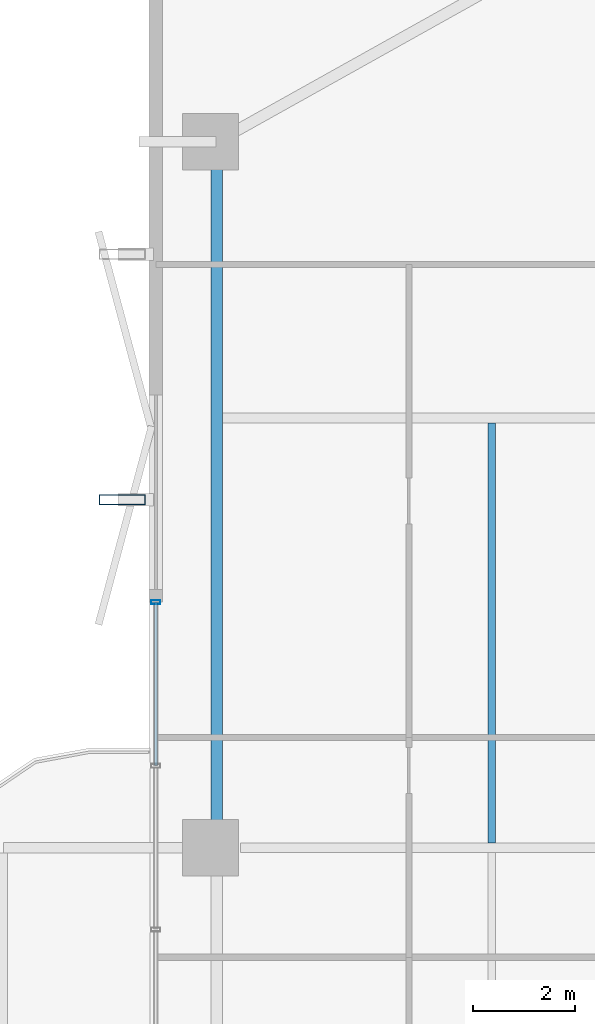
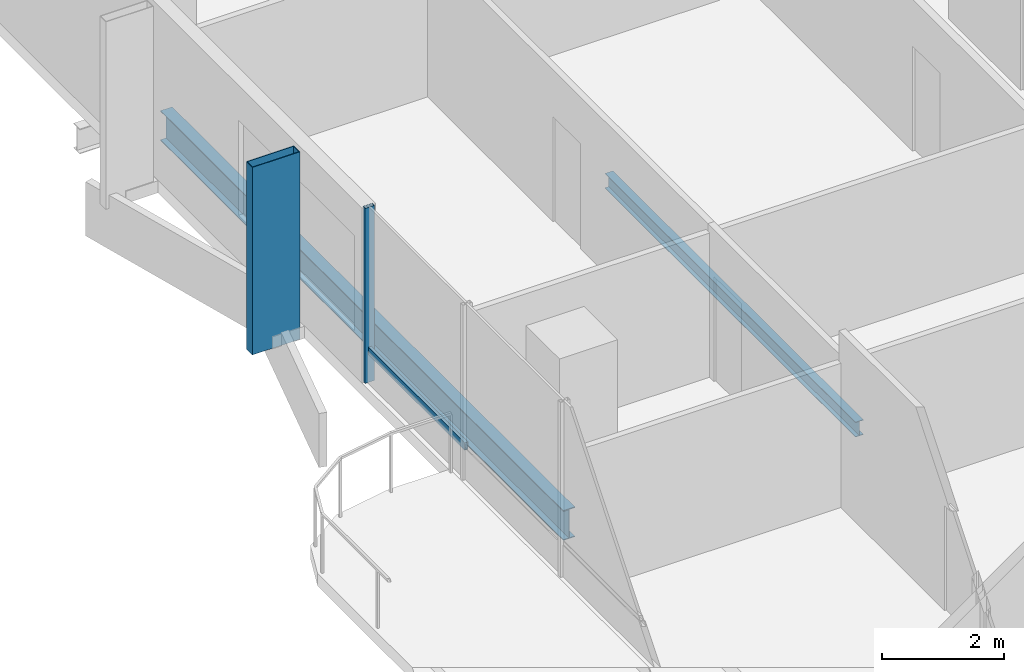
# One storey, part 12 of 29: 3 members, 2 beams, 1 element without a shape of its own.
"""IFC4 building model written with IfcOpenShell, lengths in metres."""

from ifc_helpers import new_model, si_unit, direction, frame, origin, origin_2d, place, context, subcontext, project, spatial, hollow_rectangle, i_section, extrude, material, layer, layer_set, material_profile, profile_set, type_object, element, aggregate, save


model = new_model("IFC4")

# Units and contexts
model_context = context("Model", 3, precision=1e-05, world=origin(), true_north=direction((0.0, 1.0)))
body_context = subcontext(model_context, "Body", "Model", "MODEL_VIEW")
ifc_project = project(units=[si_unit("LENGTHUNIT", "METRE"), si_unit("AREAUNIT", "SQUARE_METRE"), si_unit("VOLUMEUNIT", "CUBIC_METRE"), si_unit("PLANEANGLEUNIT", "RADIAN"), si_unit("MASSUNIT", "GRAM", prefix="KILO")], contexts=[model_context])

# Site, building, storey
site_placement = place(None, origin())
site = spatial("IfcSite", under=ifc_project, at=site_placement, CompositionType="ELEMENT")
building_placement = place(site_placement, origin())
building = spatial("IfcBuilding", under=site, at=building_placement, Name="Belovzor Exchange Tower", CompositionType="ELEMENT")
storey_placement = place(building_placement, frame((0.0, 0.0, 199.949951171875)))
storey = spatial("IfcBuildingStorey", under=building, at=storey_placement, Name="L49", CompositionType="ELEMENT", Elevation=199.949951171875)

# Beam
ifc_material_1 = material(Name="Steel S355", Category="steel")
ifc_material_profile_1 = material_profile(ifc_material_1, i_section(OverallWidth=0.14990234375, OverallDepth=0.300048828125, WebThickness=0.007080078125, FlangeThickness=0.0107421875, at=origin_2d()))
ifc_profile_set_1 = profile_set([ifc_material_profile_1], Name="Steel S355")
beam_type_1 = type_object("IfcBeamType", Name="Secondary Trim Floor Joist IPE 300", PredefinedType="BEAM", material=ifc_profile_set_1)
beam_1_placement = place(storey_placement, frame((8.49609375, 28.89501953125, -0.39990234375), z_axis=(0.0, 1.0, 0.0), x_axis=(-1.0, 0.0, 0.0)))
element("IfcBeam", 1, at=beam_1_placement, inside=storey, type_object=beam_type_1, Name="FJ-300 Secondary Trim Floor Joist IPE 300", PredefinedType="BEAM", context=body_context, shape_type="SweptSolid", body=[
    extrude(i_section(OverallWidth=0.14990234375, OverallDepth=0.300048828125, WebThickness=0.007080078125, FlangeThickness=0.0107421875, at=origin_2d()), origin(), (0.0, 0.0, 1.0), 8.2099609375),
])

# Member
ifc_material_2 = material(Name="Extruded Architectural Terracotta on Steel S355 Carrier", Category="masonry")
ifc_material_profile_2 = material_profile(ifc_material_2, hollow_rectangle(XDim=0.199951171875, YDim=0.89990234375, WallThickness=0.011962890625, at=origin_2d()))
ifc_profile_set_2 = profile_set([ifc_material_profile_2], Name="Extruded Architectural Terracotta on Steel S355 Carrier")
member_type_1 = type_object("IfcMemberType", Name="Sweeping Terracotta Baguette Fin Assembly 950", PredefinedType="USERDEFINED", material=ifc_profile_set_2)
member_1_placement = place(storey_placement, frame((1.27490234375, 35.60009765625, -0.25), z_axis=(0.0, 0.0, 1.0), x_axis=(0.0, 1.0, 0.0)))
element("IfcMember", 2, at=member_1_placement, inside=storey, type_object=member_type_1, Name="FIN-TC095 Terracotta Facade Fin L49 W3", ObjectType="FIN", PredefinedType="USERDEFINED", context=body_context, shape_type="SweptSolid", body=[
    extrude(hollow_rectangle(XDim=0.199951171875, YDim=0.89990234375, WallThickness=0.011962890625, at=origin_2d()), origin(), (0.0, 0.0, 1.0), 3.75),
])

# Curtain wall, members
ifc_material_3 = material(Name="Anodised Aluminium Framing", Category="aluminium")
ifc_layer = layer(ifc_material_3, 0.179931640625)
ifc_layer_set = layer_set([ifc_layer], Name="Anodised Aluminium Framing")
curtain_wall_type = type_object("IfcCurtainWallType", Name="Recessed Loggia Low-Iron Triple-Glazed Curtain Wall", PredefinedType="NOTDEFINED", material=ifc_layer_set)
curtain_wall_placement = place(storey_placement, origin())
curtain_wall = element("IfcCurtainWall", 3, at=curtain_wall_placement, inside=storey, type_object=curtain_wall_type, Name="CW3 Recessed Loggia Low-Iron Triple-Glazed Curtain Wall L49", PredefinedType="NOTDEFINED")
ifc_material_4 = material(Name="Steel S355", Category="steel")
ifc_material_profile_3 = material_profile(ifc_material_4, hollow_rectangle(XDim=0.074951171875, YDim=0.179931640625, WallThickness=0.0048828125, at=origin_2d()))
ifc_profile_set_3 = profile_set([ifc_material_profile_3], Name="Steel S355")
member_type_2 = type_object("IfcMemberType", Name="Thermally Broken Curtain Wall Mullion 180x75", PredefinedType="MULLION", material=ifc_profile_set_3)
member_2_placement = place(storey_placement, frame((1.929931640625, 33.60009765625, 0.0), z_axis=(0.0, 0.0, 1.0), x_axis=(0.0, 1.0, 0.0)))
member_2 = element("IfcMember", 4, at=member_2_placement, type_object=member_type_2, Name="CW-M180 Curtain Wall Mullion 4", PredefinedType="MULLION", context=body_context, shape_type="SweptSolid", body=[
    extrude(hollow_rectangle(XDim=0.074951171875, YDim=0.179931640625, WallThickness=0.0048828125, at=origin_2d()), origin(), (0.0, 0.0, 1.0), 3.5),
])
ifc_material_5 = material(Name="Steel S355", Category="steel")
ifc_material_profile_4 = material_profile(ifc_material_5, hollow_rectangle(XDim=0.06005859375, YDim=0.14990234375, WallThickness=0.00390625, at=origin_2d()))
ifc_profile_set_4 = profile_set([ifc_material_profile_4], Name="Steel S355")
member_type_3 = type_object("IfcMemberType", Name="Thermally Broken Curtain Wall Transom 150x60", PredefinedType="USERDEFINED", material=ifc_profile_set_4)
member_3_placement = place(storey_placement, frame((1.929931640625, 30.407958984375, 0.630126953125), z_axis=(0.0, 1.0, 0.0), x_axis=(-1.0, 0.0, 0.0)))
member_3 = element("IfcMember", 5, at=member_3_placement, type_object=member_type_3, Name="CW-T150 Curtain Wall Transom 3", ObjectType="TRANSOM", PredefinedType="USERDEFINED", context=body_context, shape_type="SweptSolid", body=[
    extrude(hollow_rectangle(XDim=0.06005859375, YDim=0.14990234375, WallThickness=0.00390625, at=origin_2d()), origin(), (0.0, 0.0, 1.0), 3.18408203125),
])
aggregate(curtain_wall, [member_2, member_3])

# Beam
ifc_material_6 = material(Name="Steel S355", Category="steel")
ifc_material_profile_5 = material_profile(ifc_material_6, i_section(OverallWidth=0.219970703125, OverallDepth=0.60009765625, WebThickness=0.011962890625, FlangeThickness=0.01904296875, at=origin_2d()))
ifc_profile_set_5 = profile_set([ifc_material_profile_5], Name="Steel S355")
beam_type_2 = type_object("IfcBeamType", Name="Zone 4 Flare Primary Girder IPE 600", PredefinedType="BEAM", material=ifc_profile_set_5)
beam_2_placement = place(storey_placement, frame((3.1220703125, 42.297119140625, -0.550048828125), z_axis=(0.0, -1.0, 0.0), x_axis=(1.0, 0.0, 0.0)))
element("IfcBeam", 6, at=beam_2_placement, inside=storey, type_object=beam_type_2, Name="FG-Z4 Zone 4 Flare Primary Girder IPE 600", PredefinedType="BEAM", context=body_context, shape_type="SweptSolid", body=[
    extrude(i_section(OverallWidth=0.219970703125, OverallDepth=0.60009765625, WebThickness=0.011962890625, FlangeThickness=0.01904296875, at=origin_2d()), origin(), (0.0, 0.0, 1.0), 13.195068359375),
])

save(model, "model.ifc")
